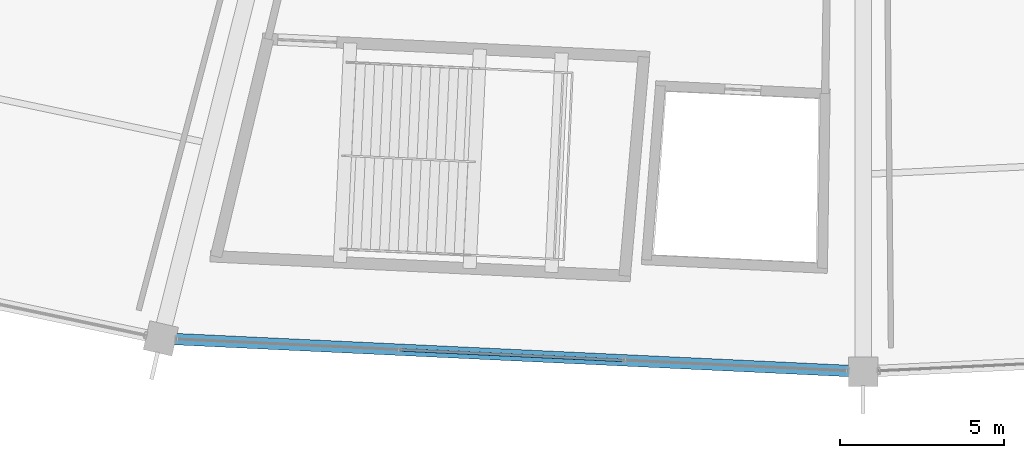
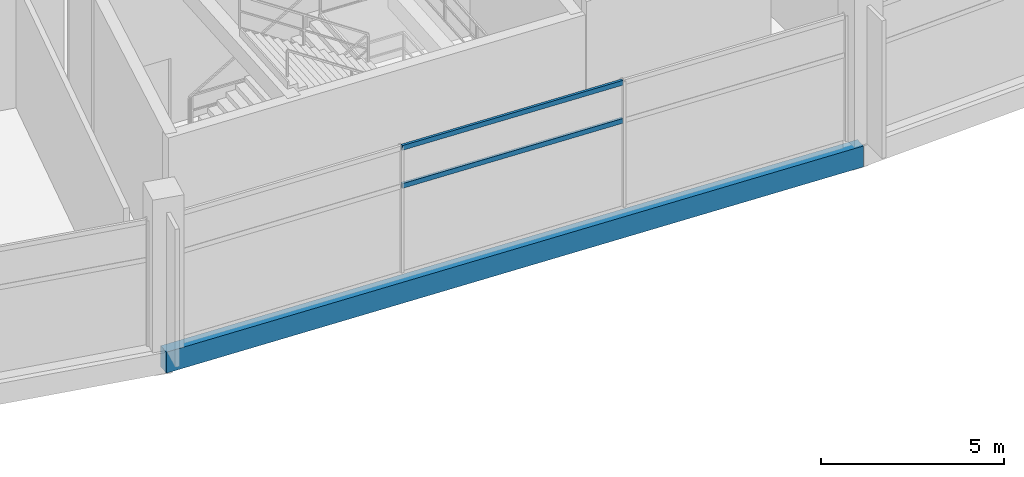
# One storey, part 21 of 184: 2 members, 1 beam, 1 element without a shape of its own.
"""IFC4 building model written with IfcOpenShell, lengths in metres."""

from ifc_helpers import new_model, si_unit, direction, frame, origin, origin_2d, place, context, subcontext, project, spatial, rectangle, hollow_rectangle, extrude, material, layer, layer_set, material_profile, profile_set, type_object, element, aggregate, save


model = new_model("IFC4")

# Units and contexts
model_context = context("Model", 3, precision=1e-05, world=origin(), true_north=direction((0.0, 1.0)))
body_context = subcontext(model_context, "Body", "Model", "MODEL_VIEW")
ifc_project = project(units=[si_unit("LENGTHUNIT", "METRE"), si_unit("AREAUNIT", "SQUARE_METRE"), si_unit("VOLUMEUNIT", "CUBIC_METRE"), si_unit("PLANEANGLEUNIT", "RADIAN"), si_unit("MASSUNIT", "GRAM", prefix="KILO")], contexts=[model_context])

# Site, building, storey
site_placement = place(None, origin())
site = spatial("IfcSite", under=ifc_project, at=site_placement, CompositionType="ELEMENT")
building_placement = place(site_placement, origin())
building = spatial("IfcBuilding", under=site, at=building_placement, Name="Kazemori Nagisa Stadium", CompositionType="ELEMENT")
storey_placement = place(building_placement, frame((0.0, 0.0, 10.5400390625)))
storey = spatial("IfcBuildingStorey", under=building, at=storey_placement, Name="L02", CompositionType="ELEMENT", Elevation=10.5400390625)

# Beam
ifc_material_1 = material(Name="Concrete C40/50 (Fc42)", Category="concrete")
ifc_material_profile_1 = material_profile(ifc_material_1, rectangle(XDim=0.35009765625, YDim=0.699951171875, at=origin_2d()), Name="RC-SP-350x700")
ifc_profile_set_1 = profile_set([ifc_material_profile_1], Name="Concrete C40/50 (Fc42)")
beam_type = type_object("IfcBeamType", Name="Beam_BS-RC350X700", PredefinedType="SPANDREL", material=ifc_profile_set_1)
beam_placement = place(storey_placement, frame((101.572265625, 17.01318359375, -0.610107421875), z_axis=(0.998883994571, -0.047230979144, 0.0), x_axis=(0.047230979144, 0.998883994571, 0.0)))
element("IfcBeam", 1, at=beam_placement, inside=storey, type_object=beam_type, Name="Ring girder BS-RC350X700 L02 R3-21", PredefinedType="SPANDREL", context=body_context, shape_type="SweptSolid", body=[
    extrude(rectangle(XDim=0.35009765625, YDim=0.699951171875, at=origin_2d()), origin(), (0.0, 0.0, 1.0), 21.45166015625),
])

# Curtain wall, members
ifc_material_2 = material(Name="Anodised aluminium 6063-T5", Category="aluminium")
ifc_layer = layer(ifc_material_2, 0.2099609375, Name="Anodised aluminium 6063-T5", Category="aluminium")
ifc_layer_set = layer_set([ifc_layer], Name="Anodised aluminium 6063-T5")
curtain_wall_type = type_object("IfcCurtainWallType", Name="CW_L02R3_103", PredefinedType="USERDEFINED", material=ifc_layer_set)
curtain_wall_placement = place(storey_placement, origin())
curtain_wall = element("IfcCurtainWall", 2, at=curtain_wall_placement, inside=storey, type_object=curtain_wall_type, Name="Unitised curtain wall CW-L02R3-103 L02", ObjectType="UNITISED CURTAIN WALL", PredefinedType="USERDEFINED")
ifc_material_3 = material(Name="Aluminium 6063-T5 anodised", Category="aluminium")
ifc_material_profile_2 = material_profile(ifc_material_3, hollow_rectangle(XDim=0.080078125, YDim=0.159912109375, WallThickness=0.00390625, at=origin_2d()), Name="ALU-TRAN-80x160x4")
ifc_profile_set_2 = profile_set([ifc_material_profile_2], Name="Aluminium 6063-T5 anodised")
member_type = type_object("IfcMemberType", Name="Transom_T02", PredefinedType="USERDEFINED", material=ifc_profile_set_2)
member_1_placement = place(storey_placement, frame((108.89306640625, 16.6669921875, 2.84912109375), z_axis=(0.998884501545, -0.047220255973, 0.0), x_axis=(0.047220255973, 0.998884501545, 0.0)))
member_1 = element("IfcMember", 3, at=member_1_placement, type_object=member_type, Name="Curtain wall transom CW-L02R3-103-T2-mid", ObjectType="TRANSOM", PredefinedType="USERDEFINED", context=body_context, shape_type="SweptSolid", body=[
    extrude(hollow_rectangle(XDim=0.080078125, YDim=0.159912109375, WallThickness=0.00390625, at=origin_2d()), origin(), (0.0, 0.0, 1.0), 6.793701171875),
])
member_2_placement = place(storey_placement, frame((108.89306640625, 16.6669921875, 4.119873046875), z_axis=(0.998884501545, -0.047220255973, 0.0), x_axis=(0.047220255973, 0.998884501545, 0.0)))
member_2 = element("IfcMember", 4, at=member_2_placement, type_object=member_type, Name="Curtain wall transom CW-L02R3-103-T2-head", ObjectType="TRANSOM", PredefinedType="USERDEFINED", context=body_context, shape_type="SweptSolid", body=[
    extrude(hollow_rectangle(XDim=0.080078125, YDim=0.159912109375, WallThickness=0.00390625, at=origin_2d()), origin(), (0.0, 0.0, 1.0), 6.793701171875),
])
aggregate(curtain_wall, [member_1, member_2])

save(model, "model.ifc")
